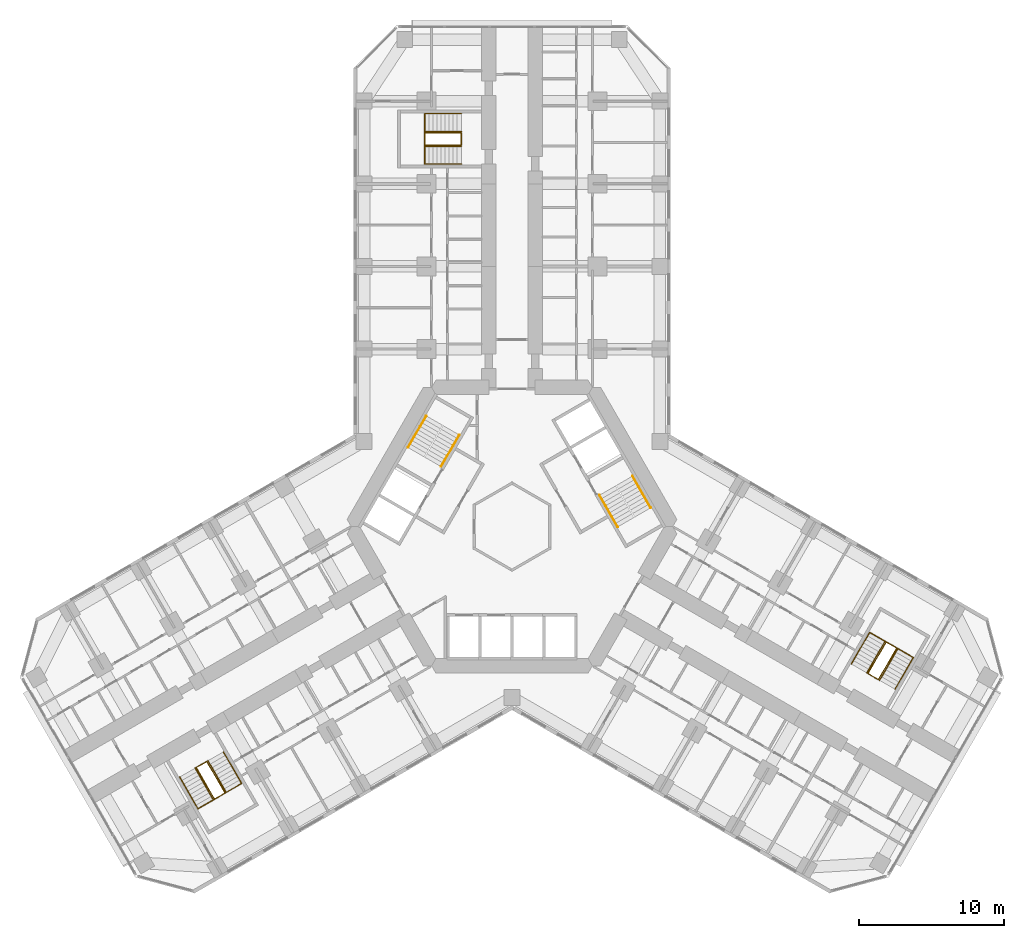
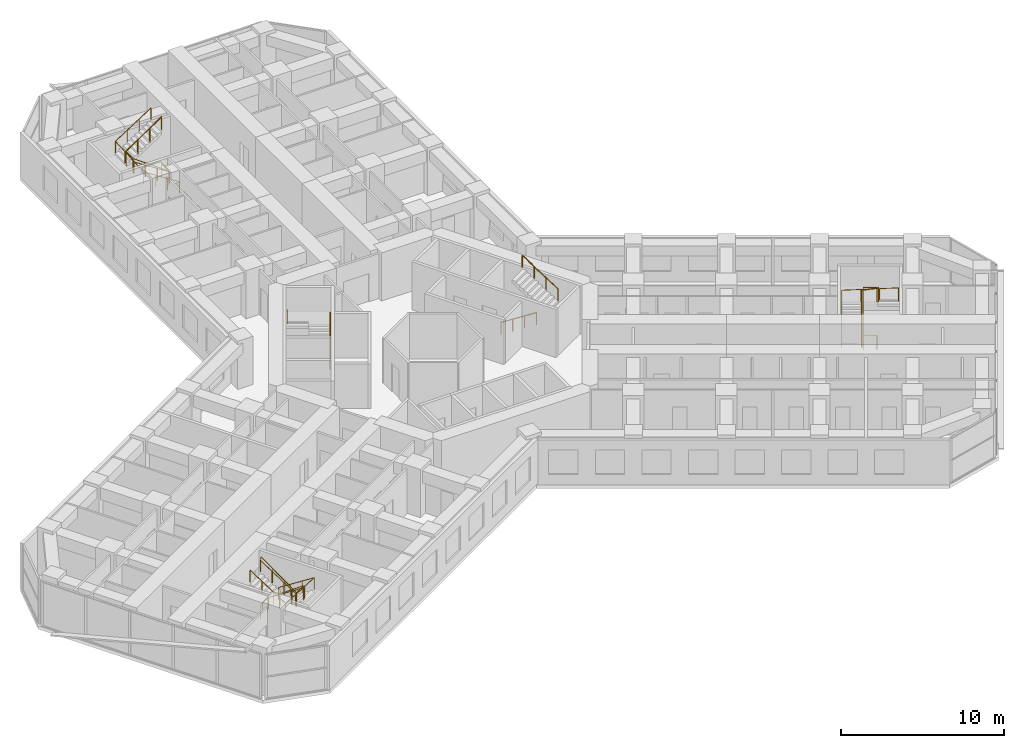
# One storey, part 21 of 21: 13 railings.
"""IFC4 building model written with IfcOpenShell, lengths in metres."""

from ifc_helpers import new_model, si_unit, direction, frame, origin, origin_2d, place, context, subcontext, project, spatial, circle, extrude, material, type_object, element, save


model = new_model("IFC4")

# Units and contexts
model_context = context("Model", 3, precision=1e-05, world=origin(), true_north=direction((0.0, 1.0)))
body_context = subcontext(model_context, "Body", "Model", "MODEL_VIEW")
ifc_project = project(units=[si_unit("LENGTHUNIT", "METRE"), si_unit("AREAUNIT", "SQUARE_METRE"), si_unit("VOLUMEUNIT", "CUBIC_METRE"), si_unit("PLANEANGLEUNIT", "RADIAN"), si_unit("MASSUNIT", "GRAM", prefix="KILO")], contexts=[model_context])

# Site, building, storey
site_placement = place(None, origin())
site = spatial("IfcSite", under=ifc_project, at=site_placement, CompositionType="ELEMENT")
building_placement = place(site_placement, origin())
building = spatial("IfcBuilding", under=site, at=building_placement, Name="Kosmar Iwan School Tower", CompositionType="ELEMENT")
storey_placement = place(building_placement, frame((0.0, 0.0, 39.39990234375)))
storey = spatial("IfcBuildingStorey", under=building, at=storey_placement, Name="L08", CompositionType="ELEMENT", Elevation=39.39990234375)

# Railings
ifc_material_1 = material(Name="Black steel", Category="steel")
railing_type_1 = type_object("IfcRailingType", Name="Stair handrail 900", PredefinedType="HANDRAIL", material=ifc_material_1)
railing_1_placement = place(storey_placement, frame((-4.89453125, 4.142333984375, 0.18017578125)))
element("IfcRailing", 1, at=railing_1_placement, inside=storey, type_object=railing_type_1, Name="Handrail ST2 flight 1", PredefinedType="HANDRAIL", context=body_context, shape_type="SweptSolid", body=[
    extrude(circle(Radius=0.02392578125, at=origin_2d()), frame((0.0, 0.0, 0.8759765625), z_axis=(0.42060268101, 0.72849590497, 0.54072830624), x_axis=(-0.866022637375, 0.500004791531, 0.0)), (0.0, 0.0, 1.0), 2.99560546875),
    extrude(circle(Radius=0.02099609375, at=origin_2d()), origin(), (0.0, 0.0, 1.0), 0.851806640625),
    extrude(circle(Radius=0.02099609375, at=origin_2d()), frame((0.419921875, 0.7275390625, 0.5400390625)), (0.0, 0.0, 1.0), 0.851806640625),
    extrude(circle(Radius=0.02099609375, at=origin_2d()), frame((0.840087890625, 1.454833984375, 1.079833984375)), (0.0, 0.0, 1.0), 0.851806640625),
    extrude(circle(Radius=0.02099609375, at=origin_2d()), frame((1.260009765625, 2.182373046875, 1.619873046875)), (0.0, 0.0, 1.0), 0.851806640625),
])
railing_2_placement = place(storey_placement, frame((-5.912353515625, 7.6396484375, 1.97998046875)))
element("IfcRailing", 2, at=railing_2_placement, inside=storey, type_object=railing_type_1, Name="Handrail ST2 flight 2", PredefinedType="HANDRAIL", context=body_context, shape_type="SweptSolid", body=[
    extrude(circle(Radius=0.02392578125, at=origin_2d()), frame((0.0, 0.0, 0.8759765625), z_axis=(-0.420584145978, -0.728463801763, 0.540785970299), x_axis=(0.866022637375, -0.500004791531, 0.0)), (0.0, 0.0, 1.0), 2.995849609375),
    extrude(circle(Radius=0.02099609375, at=origin_2d()), origin(), (0.0, 0.0, 1.0), 0.851806640625),
    extrude(circle(Radius=0.02099609375, at=origin_2d()), frame((-0.419921875, -0.7275390625, 0.5400390625)), (0.0, 0.0, 1.0), 0.851806640625),
    extrude(circle(Radius=0.02099609375, at=origin_2d()), frame((-0.840087890625, -1.454833984375, 1.080078125)), (0.0, 0.0, 1.0), 0.851806640625),
    extrude(circle(Radius=0.02099609375, at=origin_2d()), frame((-1.260009765625, -2.182373046875, 1.6201171875)), (0.0, 0.0, 1.0), 0.851806640625),
])
railing_3_placement = place(storey_placement, frame((6.03466796875, 2.167724609375, 0.18017578125)))
element("IfcRailing", 3, at=railing_3_placement, inside=storey, type_object=railing_type_1, Name="Handrail ST1 flight 1", PredefinedType="HANDRAIL", context=body_context, shape_type="SweptSolid", body=[
    extrude(circle(Radius=0.02392578125, at=origin_2d()), frame((0.0, 0.0, 0.8759765625), z_axis=(0.42060268101, -0.72849590497, 0.54072830624), x_axis=(0.866022637375, 0.500004791531, 0.0)), (0.0, 0.0, 1.0), 2.99560546875),
    extrude(circle(Radius=0.02099609375, at=origin_2d()), origin(), (0.0, 0.0, 1.0), 0.851806640625),
    extrude(circle(Radius=0.02099609375, at=origin_2d()), frame((0.419921875, -0.7275390625, 0.5400390625)), (0.0, 0.0, 1.0), 0.851806640625),
    extrude(circle(Radius=0.02099609375, at=origin_2d()), frame((0.840087890625, -1.454833984375, 1.079833984375)), (0.0, 0.0, 1.0), 0.851806640625),
    extrude(circle(Radius=0.02099609375, at=origin_2d()), frame((1.260009765625, -2.182373046875, 1.619873046875)), (0.0, 0.0, 1.0), 0.851806640625),
])
railing_4_placement = place(storey_placement, frame((9.572265625, 1.30029296875, 1.97998046875)))
element("IfcRailing", 4, at=railing_4_placement, inside=storey, type_object=railing_type_1, Name="Handrail ST1 flight 2", PredefinedType="HANDRAIL", context=body_context, shape_type="SweptSolid", body=[
    extrude(circle(Radius=0.02392578125, at=origin_2d()), frame((0.0, 0.0, 0.8759765625), z_axis=(-0.420584145978, 0.728463801763, 0.540785970299), x_axis=(-0.866022637375, -0.500004791531, 0.0)), (0.0, 0.0, 1.0), 2.995849609375),
    extrude(circle(Radius=0.02099609375, at=origin_2d()), origin(), (0.0, 0.0, 1.0), 0.851806640625),
    extrude(circle(Radius=0.02099609375, at=origin_2d()), frame((-0.419921875, 0.7275390625, 0.5400390625)), (0.0, 0.0, 1.0), 0.851806640625),
    extrude(circle(Radius=0.02099609375, at=origin_2d()), frame((-0.840087890625, 1.454833984375, 1.080078125)), (0.0, 0.0, 1.0), 0.851806640625),
    extrude(circle(Radius=0.02099609375, at=origin_2d()), frame((-1.260009765625, 2.182373046875, 1.6201171875)), (0.0, 0.0, 1.0), 0.851806640625),
])
railing_5_placement = place(storey_placement, frame((-3.5, 25.010009765625, 0.18017578125)))
element("IfcRailing", 5, at=railing_5_placement, inside=storey, type_object=railing_type_1, Name="Handrail stair WS1 L08 wall side", PredefinedType="HANDRAIL", context=body_context, shape_type="SweptSolid", body=[
    extrude(circle(Radius=0.02392578125, at=origin_2d()), frame((0.0, 0.0, 0.8759765625), z_axis=(-0.841199657755, 0.0, 0.540724639528), x_axis=(0.0, -1.0, 0.0)), (0.0, 0.0, 1.0), 2.995849609375),
    extrude(circle(Radius=0.02392578125, at=origin_2d()), frame((-2.52001953125, 0.0, 2.49560546875), z_axis=(0.0, 0.998665981786, 0.051635809497), x_axis=(-1.0, 0.0, 0.0)), (0.0, 0.0, 1.0), 3.484619140625),
    extrude(circle(Radius=0.02392578125, at=origin_2d()), frame((-2.52001953125, 3.47998046875, 2.67578125), z_axis=(0.841162588446, 0.0, 0.540782303519), x_axis=(0.0, 1.0, 0.0)), (0.0, 0.0, 1.0), 2.995849609375),
    extrude(circle(Radius=0.02099609375, at=origin_2d()), origin(), (0.0, 0.0, 1.0), 0.851806640625),
    extrude(circle(Radius=0.02099609375, at=origin_2d()), frame((-0.840087890625, 0.0, 0.5400390625)), (0.0, 0.0, 1.0), 0.851806640625),
    extrude(circle(Radius=0.02099609375, at=origin_2d()), frame((-1.679931640625, 0.0, 1.079833984375)), (0.0, 0.0, 1.0), 0.851806640625),
    extrude(circle(Radius=0.02099609375, at=origin_2d()), frame((-2.52001953125, 0.0, 1.619873046875)), (0.0, 0.0, 1.0), 0.851806640625),
    extrude(circle(Radius=0.02099609375, at=origin_2d()), frame((-2.52001953125, 1.159912109375, 1.679931640625)), (0.0, 0.0, 1.0), 0.851806640625),
    extrude(circle(Radius=0.02099609375, at=origin_2d()), frame((-2.52001953125, 2.320068359375, 1.73974609375)), (0.0, 0.0, 1.0), 0.851806640625),
    extrude(circle(Radius=0.02099609375, at=origin_2d()), frame((-2.52001953125, 3.47998046875, 1.7998046875)), (0.0, 0.0, 1.0), 0.851806640625),
    extrude(circle(Radius=0.02099609375, at=origin_2d()), frame((-1.679931640625, 3.47998046875, 2.33984375)), (0.0, 0.0, 1.0), 0.851806640625),
    extrude(circle(Radius=0.02099609375, at=origin_2d()), frame((-0.840087890625, 3.47998046875, 2.8798828125)), (0.0, 0.0, 1.0), 0.851806640625),
    extrude(circle(Radius=0.02099609375, at=origin_2d()), frame((0.0, 3.47998046875, 3.419921875)), (0.0, 0.0, 1.0), 0.851806640625),
])
railing_6_placement = place(storey_placement, frame((-3.5, 26.239990234375, 0.18017578125)))
element("IfcRailing", 6, at=railing_6_placement, inside=storey, type_object=railing_type_1, Name="Handrail stair WS1 L08 well side", PredefinedType="HANDRAIL", context=body_context, shape_type="SweptSolid", body=[
    extrude(circle(Radius=0.02392578125, at=origin_2d()), frame((0.0, 0.0, 0.8759765625), z_axis=(-0.841199657755, 0.0, 0.540724639528), x_axis=(0.0, -1.0, 0.0)), (0.0, 0.0, 1.0), 2.995849609375),
    extrude(circle(Radius=0.02392578125, at=origin_2d()), frame((-2.52001953125, 0.0, 2.49560546875), z_axis=(0.0, 0.984795421109, 0.173718100851), x_axis=(-1.0, 0.0, 0.0)), (0.0, 0.0, 1.0), 1.035888671875),
    extrude(circle(Radius=0.02392578125, at=origin_2d()), frame((-2.52001953125, 1.02001953125, 2.67578125), z_axis=(0.841162588446, 0.0, 0.540782303519), x_axis=(0.0, 1.0, 0.0)), (0.0, 0.0, 1.0), 2.995849609375),
    extrude(circle(Radius=0.02099609375, at=origin_2d()), origin(), (0.0, 0.0, 1.0), 0.851806640625),
    extrude(circle(Radius=0.02099609375, at=origin_2d()), frame((-0.840087890625, 0.0, 0.5400390625)), (0.0, 0.0, 1.0), 0.851806640625),
    extrude(circle(Radius=0.02099609375, at=origin_2d()), frame((-1.679931640625, 0.0, 1.079833984375)), (0.0, 0.0, 1.0), 0.851806640625),
    extrude(circle(Radius=0.02099609375, at=origin_2d()), frame((-2.52001953125, 0.0, 1.619873046875)), (0.0, 0.0, 1.0), 0.851806640625),
    extrude(circle(Radius=0.02099609375, at=origin_2d()), frame((-2.52001953125, 1.02001953125, 1.7998046875)), (0.0, 0.0, 1.0), 0.851806640625),
    extrude(circle(Radius=0.02099609375, at=origin_2d()), frame((-1.679931640625, 1.02001953125, 2.33984375)), (0.0, 0.0, 1.0), 0.851806640625),
    extrude(circle(Radius=0.02099609375, at=origin_2d()), frame((-0.840087890625, 1.02001953125, 2.8798828125)), (0.0, 0.0, 1.0), 0.851806640625),
    extrude(circle(Radius=0.02099609375, at=origin_2d()), frame((0.0, 1.02001953125, 3.419921875)), (0.0, 0.0, 1.0), 0.851806640625),
])
railing_7_placement = place(storey_placement, frame((-19.9091796875, -15.5361328125, 0.18017578125)))
element("IfcRailing", 7, at=railing_7_placement, inside=storey, type_object=railing_type_1, Name="Handrail stair WS2 L08 wall side", PredefinedType="HANDRAIL", context=body_context, shape_type="SweptSolid", body=[
    extrude(circle(Radius=0.02392578125, at=origin_2d()), frame((0.0, 0.0, 0.8759765625), z_axis=(0.420535598452, -0.728520874915, 0.540746840257), x_axis=(0.866064587494, 0.499932125682, 0.0)), (0.0, 0.0, 1.0), 2.99560546875),
    extrude(circle(Radius=0.02392578125, at=origin_2d()), frame((1.259765625, -2.182373046875, 2.49560546875), z_axis=(-0.864864352349, -0.499342858003, 0.051636829851), x_axis=(0.500009906705, -0.86601968407, 0.0)), (0.0, 0.0, 1.0), 3.484619140625),
    extrude(circle(Radius=0.02392578125, at=origin_2d()), frame((-1.75390625, -3.92236328125, 2.67578125), z_axis=(-0.420584145978, 0.728463801763, 0.540785970299), x_axis=(-0.866022637375, -0.500004791531, 0.0)), (0.0, 0.0, 1.0), 2.995849609375),
    extrude(circle(Radius=0.02099609375, at=origin_2d()), origin(), (0.0, 0.0, 1.0), 0.851806640625),
    extrude(circle(Radius=0.02099609375, at=origin_2d()), frame((0.419921875, -0.7275390625, 0.5400390625)), (0.0, 0.0, 1.0), 0.851806640625),
    extrude(circle(Radius=0.02099609375, at=origin_2d()), frame((0.83984375, -1.454833984375, 1.079833984375)), (0.0, 0.0, 1.0), 0.851806640625),
    extrude(circle(Radius=0.02099609375, at=origin_2d()), frame((1.259765625, -2.182373046875, 1.619873046875)), (0.0, 0.0, 1.0), 0.851806640625),
    extrude(circle(Radius=0.02099609375, at=origin_2d()), frame((0.255126953125, -2.762451171875, 1.679931640625)), (0.0, 0.0, 1.0), 0.851806640625),
    extrude(circle(Radius=0.02099609375, at=origin_2d()), frame((-0.749267578125, -3.34228515625, 1.73974609375)), (0.0, 0.0, 1.0), 0.851806640625),
    extrude(circle(Radius=0.02099609375, at=origin_2d()), frame((-1.75390625, -3.92236328125, 1.7998046875)), (0.0, 0.0, 1.0), 0.851806640625),
    extrude(circle(Radius=0.02099609375, at=origin_2d()), frame((-2.173828125, -3.19482421875, 2.33984375)), (0.0, 0.0, 1.0), 0.851806640625),
    extrude(circle(Radius=0.02099609375, at=origin_2d()), frame((-2.593994140625, -2.467529296875, 2.8798828125)), (0.0, 0.0, 1.0), 0.851806640625),
    extrude(circle(Radius=0.02099609375, at=origin_2d()), frame((-3.013916015625, -1.739990234375, 3.419921875)), (0.0, 0.0, 1.0), 0.851806640625),
])
railing_8_placement = place(storey_placement, frame((-20.974609375, -16.151123046875, 0.18017578125)))
element("IfcRailing", 8, at=railing_8_placement, inside=storey, type_object=railing_type_1, Name="Handrail stair WS2 L08 well side", PredefinedType="HANDRAIL", context=body_context, shape_type="SweptSolid", body=[
    extrude(circle(Radius=0.02392578125, at=origin_2d()), frame((0.0, 0.0, 0.8759765625), z_axis=(0.42060268101, -0.72849590497, 0.54072830624), x_axis=(0.866022637375, 0.500004791531, 0.0)), (0.0, 0.0, 1.0), 2.99560546875),
    extrude(circle(Radius=0.02392578125, at=origin_2d()), frame((1.260009765625, -2.182373046875, 2.49560546875), z_axis=(-0.852841519511, -0.492422867401, 0.173726976197), x_axis=(0.500026340207, -0.866010195725, 0.0)), (0.0, 0.0, 1.0), 1.03564453125),
    extrude(circle(Radius=0.02392578125, at=origin_2d()), frame((0.376708984375, -2.6923828125, 2.67578125), z_axis=(-0.420584145978, 0.728463801763, 0.540785970299), x_axis=(-0.866022637375, -0.500004791531, 0.0)), (0.0, 0.0, 1.0), 2.995849609375),
    extrude(circle(Radius=0.02099609375, at=origin_2d()), origin(), (0.0, 0.0, 1.0), 0.851806640625),
    extrude(circle(Radius=0.02099609375, at=origin_2d()), frame((0.419921875, -0.7275390625, 0.5400390625)), (0.0, 0.0, 1.0), 0.851806640625),
    extrude(circle(Radius=0.02099609375, at=origin_2d()), frame((0.840087890625, -1.454833984375, 1.079833984375)), (0.0, 0.0, 1.0), 0.851806640625),
    extrude(circle(Radius=0.02099609375, at=origin_2d()), frame((1.260009765625, -2.182373046875, 1.619873046875)), (0.0, 0.0, 1.0), 0.851806640625),
    extrude(circle(Radius=0.02099609375, at=origin_2d()), frame((0.376708984375, -2.6923828125, 1.7998046875)), (0.0, 0.0, 1.0), 0.851806640625),
    extrude(circle(Radius=0.02099609375, at=origin_2d()), frame((-0.043212890625, -1.96484375, 2.33984375)), (0.0, 0.0, 1.0), 0.851806640625),
    extrude(circle(Radius=0.02099609375, at=origin_2d()), frame((-0.46337890625, -1.237548828125, 2.8798828125)), (0.0, 0.0, 1.0), 0.851806640625),
    extrude(circle(Radius=0.02099609375, at=origin_2d()), frame((-0.88330078125, -0.510009765625, 3.419921875)), (0.0, 0.0, 1.0), 0.851806640625),
])
railing_9_placement = place(storey_placement, frame((23.4091796875, -9.473876953125, 0.18017578125)))
element("IfcRailing", 9, at=railing_9_placement, inside=storey, type_object=railing_type_1, Name="Handrail stair WS3 L08 wall side", PredefinedType="HANDRAIL", context=body_context, shape_type="SweptSolid", body=[
    extrude(circle(Radius=0.02392578125, at=origin_2d()), frame((0.0, 0.0, 0.8759765625), z_axis=(0.42060268101, 0.72849590497, 0.54072830624), x_axis=(-0.866022637375, 0.500004791531, 0.0)), (0.0, 0.0, 1.0), 2.99560546875),
    extrude(circle(Radius=0.02392578125, at=origin_2d()), frame((1.260009765625, 2.182373046875, 2.49560546875), z_axis=(0.864882007433, -0.499312601618, 0.051633701051), x_axis=(0.499979528911, 0.866037222451, 0.0)), (0.0, 0.0, 1.0), 3.48486328125),
    extrude(circle(Radius=0.02392578125, at=origin_2d()), frame((4.27392578125, 0.4423828125, 2.67578125), z_axis=(-0.420584145978, -0.728463801763, 0.540785970299), x_axis=(0.866022637375, -0.500004791531, 0.0)), (0.0, 0.0, 1.0), 2.995849609375),
    extrude(circle(Radius=0.02099609375, at=origin_2d()), origin(), (0.0, 0.0, 1.0), 0.851806640625),
    extrude(circle(Radius=0.02099609375, at=origin_2d()), frame((0.419921875, 0.7275390625, 0.5400390625)), (0.0, 0.0, 1.0), 0.851806640625),
    extrude(circle(Radius=0.02099609375, at=origin_2d()), frame((0.840087890625, 1.454833984375, 1.079833984375)), (0.0, 0.0, 1.0), 0.851806640625),
    extrude(circle(Radius=0.02099609375, at=origin_2d()), frame((1.260009765625, 2.182373046875, 1.619873046875)), (0.0, 0.0, 1.0), 0.851806640625),
    extrude(circle(Radius=0.02099609375, at=origin_2d()), frame((2.2646484375, 1.602294921875, 1.679931640625)), (0.0, 0.0, 1.0), 0.851806640625),
    extrude(circle(Radius=0.02099609375, at=origin_2d()), frame((3.269287109375, 1.0224609375, 1.73974609375)), (0.0, 0.0, 1.0), 0.851806640625),
    extrude(circle(Radius=0.02099609375, at=origin_2d()), frame((4.27392578125, 0.4423828125, 1.7998046875)), (0.0, 0.0, 1.0), 0.851806640625),
    extrude(circle(Radius=0.02099609375, at=origin_2d()), frame((3.85400390625, -0.28515625, 2.33984375)), (0.0, 0.0, 1.0), 0.851806640625),
    extrude(circle(Radius=0.02099609375, at=origin_2d()), frame((3.433837890625, -1.012451171875, 2.8798828125)), (0.0, 0.0, 1.0), 0.851806640625),
    extrude(circle(Radius=0.02099609375, at=origin_2d()), frame((3.013916015625, -1.739990234375, 3.419921875)), (0.0, 0.0, 1.0), 0.851806640625),
])
railing_10_placement = place(storey_placement, frame((24.474609375, -10.0888671875, 0.18017578125)))
element("IfcRailing", 10, at=railing_10_placement, inside=storey, type_object=railing_type_1, Name="Handrail stair WS3 L08 well side", PredefinedType="HANDRAIL", context=body_context, shape_type="SweptSolid", body=[
    extrude(circle(Radius=0.02392578125, at=origin_2d()), frame((0.0, 0.0, 0.8759765625), z_axis=(0.42060268101, 0.72849590497, 0.54072830624), x_axis=(-0.866022637375, 0.500004791531, 0.0)), (0.0, 0.0, 1.0), 2.99560546875),
    extrude(circle(Radius=0.02392578125, at=origin_2d()), frame((1.260009765625, 2.182373046875, 2.49560546875), z_axis=(0.852841519511, -0.492422867401, 0.173726976197), x_axis=(0.500026340207, 0.866010195725, 0.0)), (0.0, 0.0, 1.0), 1.03564453125),
    extrude(circle(Radius=0.02392578125, at=origin_2d()), frame((2.143310546875, 1.67236328125, 2.67578125), z_axis=(-0.420584145978, -0.728463801763, 0.540785970299), x_axis=(0.866022637375, -0.500004791531, 0.0)), (0.0, 0.0, 1.0), 2.995849609375),
    extrude(circle(Radius=0.02099609375, at=origin_2d()), origin(), (0.0, 0.0, 1.0), 0.851806640625),
    extrude(circle(Radius=0.02099609375, at=origin_2d()), frame((0.419921875, 0.7275390625, 0.5400390625)), (0.0, 0.0, 1.0), 0.851806640625),
    extrude(circle(Radius=0.02099609375, at=origin_2d()), frame((0.840087890625, 1.454833984375, 1.079833984375)), (0.0, 0.0, 1.0), 0.851806640625),
    extrude(circle(Radius=0.02099609375, at=origin_2d()), frame((1.260009765625, 2.182373046875, 1.619873046875)), (0.0, 0.0, 1.0), 0.851806640625),
    extrude(circle(Radius=0.02099609375, at=origin_2d()), frame((2.143310546875, 1.67236328125, 1.7998046875)), (0.0, 0.0, 1.0), 0.851806640625),
    extrude(circle(Radius=0.02099609375, at=origin_2d()), frame((1.723388671875, 0.94482421875, 2.33984375)), (0.0, 0.0, 1.0), 0.851806640625),
    extrude(circle(Radius=0.02099609375, at=origin_2d()), frame((1.30322265625, 0.217529296875, 2.8798828125)), (0.0, 0.0, 1.0), 0.851806640625),
    extrude(circle(Radius=0.02099609375, at=origin_2d()), frame((0.88330078125, -0.510009765625, 3.419921875)), (0.0, 0.0, 1.0), 0.851806640625),
])
ifc_material_2 = material(Name="Black steel", Category="steel")
railing_type_2 = type_object("IfcRailingType", Name="Stair well guard 1100", PredefinedType="GUARDRAIL", material=ifc_material_2)
railing_11_placement = place(storey_placement, frame((-3.5, 27.169921875, 0.0)))
element("IfcRailing", 11, at=railing_11_placement, inside=storey, type_object=railing_type_2, Name="Stair WS1 L08 well guard", PredefinedType="GUARDRAIL", context=body_context, shape_type="SweptSolid", body=[
    extrude(circle(Radius=0.02392578125, at=origin_2d()), frame((0.0, 0.0, 1.076171875), z_axis=(0.0, -1.0, 0.0), x_axis=(1.0, 0.0, 0.0)), (0.0, 0.0, 1.0), 0.83984375),
    extrude(circle(Radius=0.02392578125, at=origin_2d()), frame((0.0, -0.83984375, 1.076171875), z_axis=(-0.813728144527, 0.0, 0.581245650998), x_axis=(0.0, -1.0, 0.0)), (0.0, 0.0, 1.0), 3.096923828125),
    extrude(circle(Radius=0.02392578125, at=origin_2d()), frame((-2.52001953125, -0.83984375, 2.8759765625), z_axis=(0.0, 1.0, 0.0), x_axis=(-1.0, 0.0, 0.0)), (0.0, 0.0, 1.0), 0.83984375),
    extrude(circle(Radius=0.02392578125, at=origin_2d()), frame((-2.52001953125, 0.0, 2.8759765625), z_axis=(0.813728144527, 0.0, 0.581245650998), x_axis=(0.0, 1.0, 0.0)), (0.0, 0.0, 1.0), 3.096923828125),
    extrude(circle(Radius=0.02099609375, at=origin_2d()), origin(), (0.0, 0.0, 1.0), 1.052001953125),
    extrude(circle(Radius=0.02099609375, at=origin_2d()), frame((0.0, -0.83984375, 0.0)), (0.0, 0.0, 1.0), 1.052001953125),
    extrude(circle(Radius=0.02099609375, at=origin_2d()), frame((-0.840087890625, -0.83984375, 0.60009765625)), (0.0, 0.0, 1.0), 1.052001953125),
    extrude(circle(Radius=0.02099609375, at=origin_2d()), frame((-1.679931640625, -0.83984375, 1.199951171875)), (0.0, 0.0, 1.0), 1.052001953125),
    extrude(circle(Radius=0.02099609375, at=origin_2d()), frame((-2.52001953125, -0.83984375, 1.800048828125)), (0.0, 0.0, 1.0), 1.052001953125),
    extrude(circle(Radius=0.02099609375, at=origin_2d()), frame((-2.52001953125, 0.0, 1.800048828125)), (0.0, 0.0, 1.0), 1.052001953125),
    extrude(circle(Radius=0.02099609375, at=origin_2d()), frame((-1.679931640625, 0.0, 2.400146484375)), (0.0, 0.0, 1.0), 1.052001953125),
    extrude(circle(Radius=0.02099609375, at=origin_2d()), frame((-0.840087890625, 0.0, 3.0)), (0.0, 0.0, 1.0), 1.052001953125),
    extrude(circle(Radius=0.02099609375, at=origin_2d()), frame((0.0, 0.0, 3.60009765625)), (0.0, 0.0, 1.0), 1.052001953125),
])
railing_12_placement = place(storey_placement, frame((-21.780029296875, -16.6162109375, 0.0)))
element("IfcRailing", 12, at=railing_12_placement, inside=storey, type_object=railing_type_2, Name="Stair WS2 L08 well guard", PredefinedType="GUARDRAIL", context=body_context, shape_type="SweptSolid", body=[
    extrude(circle(Radius=0.02392578125, at=origin_2d()), frame((0.0, 0.0, 1.076171875), z_axis=(0.865962960534, 0.500108139288, 0.0), x_axis=(-0.500108139288, 0.865962960534, 0.0)), (0.0, 0.0, 1.0), 0.840087890625),
    extrude(circle(Radius=0.02392578125, at=origin_2d()), frame((0.7275390625, 0.420166015625, 1.076171875), z_axis=(0.40686665399, -0.704704712268, 0.58124933925), x_axis=(0.866022637375, 0.500004791531, 0.0)), (0.0, 0.0, 1.0), 3.096923828125),
    extrude(circle(Radius=0.02392578125, at=origin_2d()), frame((1.987548828125, -1.76220703125, 2.8759765625), z_axis=(-0.865962960534, -0.500108139288, 0.0), x_axis=(0.500108139288, -0.865962960534, 0.0)), (0.0, 0.0, 1.0), 0.840087890625),
    extrude(circle(Radius=0.02392578125, at=origin_2d()), frame((1.260009765625, -2.182373046875, 2.8759765625), z_axis=(-0.40686665399, 0.704704712268, 0.58124933925), x_axis=(-0.866022637375, -0.500004791531, 0.0)), (0.0, 0.0, 1.0), 3.096923828125),
    extrude(circle(Radius=0.02099609375, at=origin_2d()), origin(), (0.0, 0.0, 1.0), 1.052001953125),
    extrude(circle(Radius=0.02099609375, at=origin_2d()), frame((0.7275390625, 0.420166015625, 0.0)), (0.0, 0.0, 1.0), 1.052001953125),
    extrude(circle(Radius=0.02099609375, at=origin_2d()), frame((1.1474609375, -0.307373046875, 0.60009765625)), (0.0, 0.0, 1.0), 1.052001953125),
    extrude(circle(Radius=0.02099609375, at=origin_2d()), frame((1.567626953125, -1.03466796875, 1.199951171875)), (0.0, 0.0, 1.0), 1.052001953125),
    extrude(circle(Radius=0.02099609375, at=origin_2d()), frame((1.987548828125, -1.76220703125, 1.800048828125)), (0.0, 0.0, 1.0), 1.052001953125),
    extrude(circle(Radius=0.02099609375, at=origin_2d()), frame((1.260009765625, -2.182373046875, 1.800048828125)), (0.0, 0.0, 1.0), 1.052001953125),
    extrude(circle(Radius=0.02099609375, at=origin_2d()), frame((0.840087890625, -1.454833984375, 2.400146484375)), (0.0, 0.0, 1.0), 1.052001953125),
    extrude(circle(Radius=0.02099609375, at=origin_2d()), frame((0.419921875, -0.7275390625, 3.0)), (0.0, 0.0, 1.0), 1.052001953125),
    extrude(circle(Radius=0.02099609375, at=origin_2d()), frame((0.0, 0.0, 3.60009765625)), (0.0, 0.0, 1.0), 1.052001953125),
])
railing_13_placement = place(storey_placement, frame((25.280029296875, -10.553955078125, 0.0)))
element("IfcRailing", 13, at=railing_13_placement, inside=storey, type_object=railing_type_2, Name="Stair WS3 L08 well guard", PredefinedType="GUARDRAIL", context=body_context, shape_type="SweptSolid", body=[
    extrude(circle(Radius=0.02392578125, at=origin_2d()), frame((0.0, 0.0, 1.076171875), z_axis=(-0.865962960534, 0.500108139288, 0.0), x_axis=(-0.500108139288, -0.865962960534, 0.0)), (0.0, 0.0, 1.0), 0.840087890625),
    extrude(circle(Radius=0.02392578125, at=origin_2d()), frame((-0.7275390625, 0.420166015625, 1.076171875), z_axis=(0.40686665399, 0.704704712268, 0.58124933925), x_axis=(-0.866022637375, 0.500004791531, 0.0)), (0.0, 0.0, 1.0), 3.096923828125),
    extrude(circle(Radius=0.02392578125, at=origin_2d()), frame((0.532470703125, 2.6025390625, 2.8759765625), z_axis=(0.865890253765, -0.500234013672, 0.0), x_axis=(0.500234013672, 0.865890253765, 0.0)), (0.0, 0.0, 1.0), 0.83984375),
    extrude(circle(Radius=0.02392578125, at=origin_2d()), frame((1.259765625, 2.182373046875, 2.8759765625), z_axis=(-0.406800866334, -0.70472731476, 0.58126798207), x_axis=(0.866064587494, -0.499932125682, 0.0)), (0.0, 0.0, 1.0), 3.0966796875),
    extrude(circle(Radius=0.02099609375, at=origin_2d()), origin(), (0.0, 0.0, 1.0), 1.052001953125),
    extrude(circle(Radius=0.02099609375, at=origin_2d()), frame((-0.7275390625, 0.420166015625, 0.0)), (0.0, 0.0, 1.0), 1.052001953125),
    extrude(circle(Radius=0.02099609375, at=origin_2d()), frame((-0.3076171875, 1.147705078125, 0.60009765625)), (0.0, 0.0, 1.0), 1.052001953125),
    extrude(circle(Radius=0.02099609375, at=origin_2d()), frame((0.112548828125, 1.875, 1.199951171875)), (0.0, 0.0, 1.0), 1.052001953125),
    extrude(circle(Radius=0.02099609375, at=origin_2d()), frame((0.532470703125, 2.6025390625, 1.800048828125)), (0.0, 0.0, 1.0), 1.052001953125),
    extrude(circle(Radius=0.02099609375, at=origin_2d()), frame((1.259765625, 2.182373046875, 1.800048828125)), (0.0, 0.0, 1.0), 1.052001953125),
    extrude(circle(Radius=0.02099609375, at=origin_2d()), frame((0.83984375, 1.454833984375, 2.400146484375)), (0.0, 0.0, 1.0), 1.052001953125),
    extrude(circle(Radius=0.02099609375, at=origin_2d()), frame((0.419921875, 0.7275390625, 3.0)), (0.0, 0.0, 1.0), 1.052001953125),
    extrude(circle(Radius=0.02099609375, at=origin_2d()), frame((0.0, 0.0, 3.60009765625)), (0.0, 0.0, 1.0), 1.052001953125),
])

save(model, "model.ifc")
